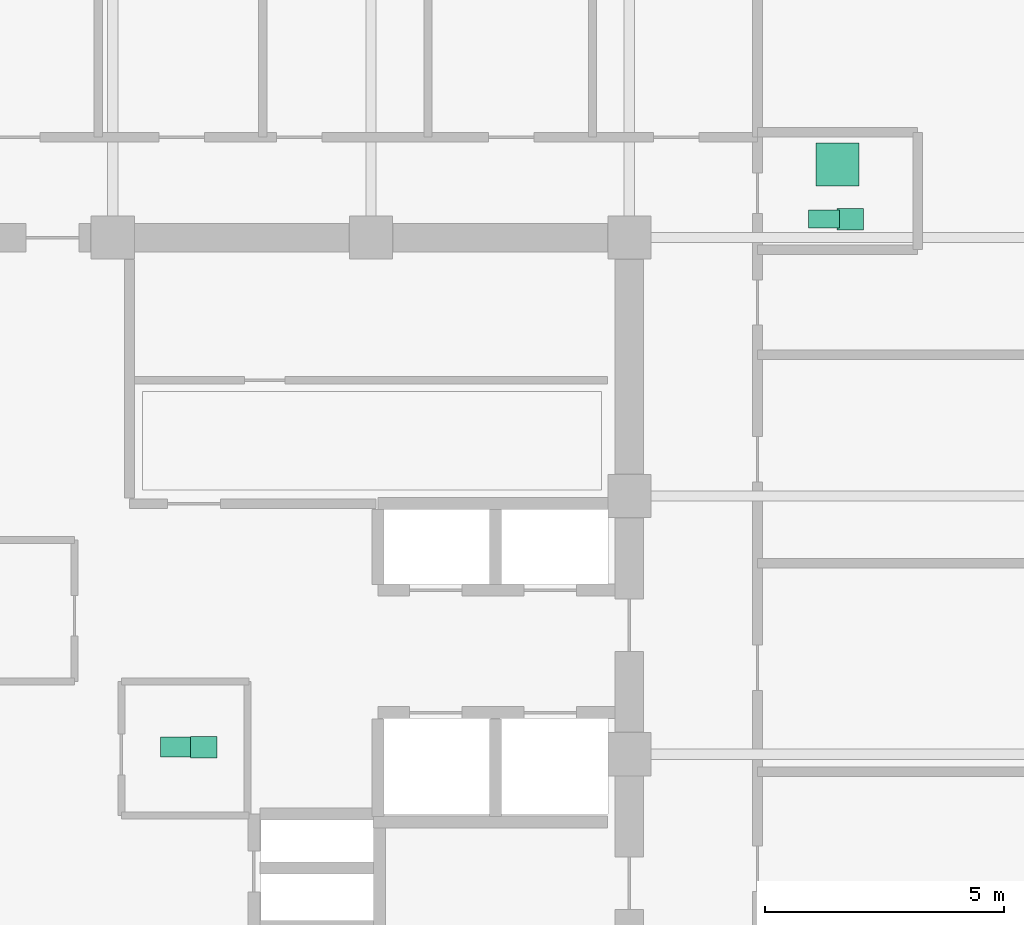
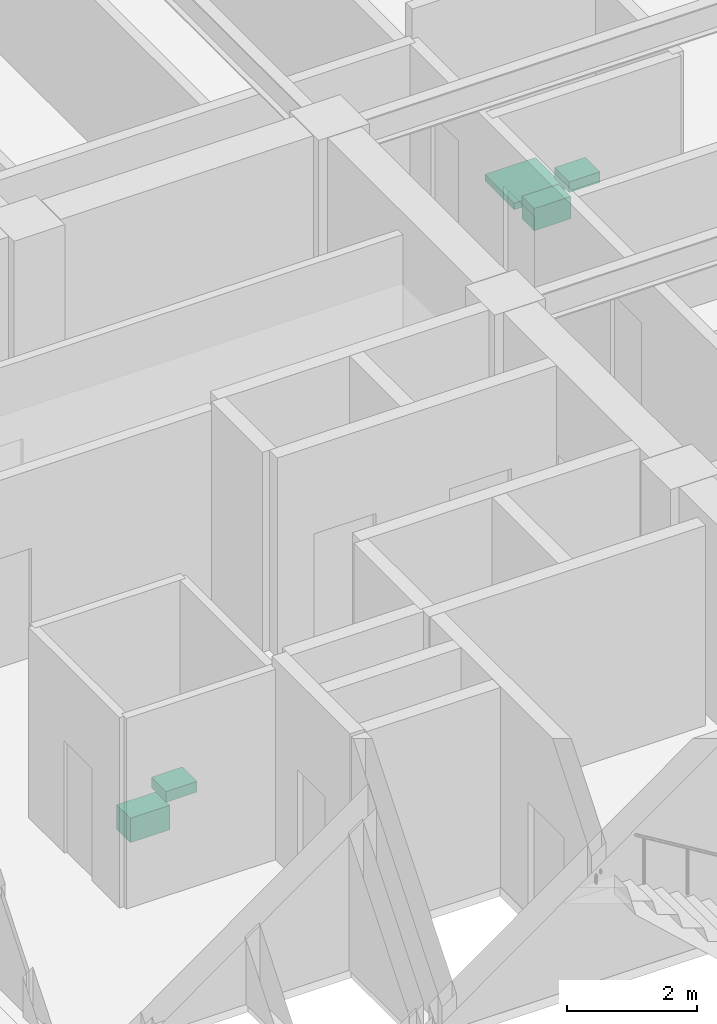
# One storey, part 28 of 28: 5 sanitary terminals.
"""IFC4 building model written with IfcOpenShell, lengths in metres."""

from ifc_helpers import new_model, si_unit, direction, frame, origin, origin_2d, place, context, subcontext, project, spatial, rectangle, extrude, material, type_object, element, save


model = new_model("IFC4")

# Units and contexts
model_context = context("Model", 3, precision=1e-05, world=origin(), true_north=direction((0.0, 1.0)))
body_context = subcontext(model_context, "Body", "Model", "MODEL_VIEW")
ifc_project = project(units=[si_unit("LENGTHUNIT", "METRE"), si_unit("AREAUNIT", "SQUARE_METRE"), si_unit("VOLUMEUNIT", "CUBIC_METRE"), si_unit("PLANEANGLEUNIT", "RADIAN"), si_unit("MASSUNIT", "GRAM", prefix="KILO")], contexts=[model_context])

# Site, building, storey
site_placement = place(None, origin())
site = spatial("IfcSite", under=ifc_project, at=site_placement, CompositionType="ELEMENT")
building_placement = place(site_placement, origin())
building = spatial("IfcBuilding", under=site, at=building_placement, Name="Surkhivell Harbour Commons", CompositionType="ELEMENT")
storey_placement = place(building_placement, frame((0.0, 0.0, 242.25)))
storey = spatial("IfcBuildingStorey", under=building, at=storey_placement, Name="L63", CompositionType="ELEMENT", Elevation=242.25)

# Sanitary terminals
ifc_material_1 = material(Name="Vitreous china washbasin", Category="other")
sanitary_terminal_type_1 = type_object("IfcSanitaryTerminalType", Name="SAN-BSN", PredefinedType="WASHHANDBASIN", material=ifc_material_1)
for number, where, z_axis, x_axis, name in (
    (1, (1.89990234375, 0.14990234375, 0.72021484375), (0.0, 0.0, 1.0), (1.0, 0.0, 0.0), "L63 Core Accessible WC Washbasin"),
    (2, (15.419921875, 11.18994140625, 0.72021484375), (0.0, 0.0, 1.0), (1.0, 0.0, 0.0), "L63 East Communal Bathroom WC Washbasin"),
):
    element("IfcSanitaryTerminal", number, at=place(storey_placement, frame(where, z_axis=z_axis, x_axis=x_axis)), inside=storey, type_object=sanitary_terminal_type_1, Name=name, PredefinedType="WASHHANDBASIN", context=body_context, shape_type="SweptSolid", body=[
        extrude(rectangle(XDim=0.550048828125, YDim=0.449951171875, at=origin_2d()), origin(), (0.0, 0.0, 1.0), 0.199951171875),
    ])
ifc_material_2 = material(Name="Glazed porcelain shower tray", Category="other")
sanitary_terminal_type_2 = type_object("IfcSanitaryTerminalType", Name="SAN-SHW", PredefinedType="SHOWER", material=ifc_material_2)
sanitary_terminal_1_placement = place(storey_placement, frame((15.14990234375, 12.330078125, 0.0), z_axis=(0.0, 0.0, 1.0), x_axis=(1.0, 0.0, 0.0)))
element("IfcSanitaryTerminal", 3, at=sanitary_terminal_1_placement, inside=storey, type_object=sanitary_terminal_type_2, Name="L63 East Communal Shower Tray", PredefinedType="SHOWER", context=body_context, shape_type="SweptSolid", body=[
    extrude(rectangle(XDim=0.89990234375, YDim=0.89990234375, at=origin_2d()), origin(), (0.0, 0.0, 1.0), 0.1201171875),
])
ifc_material_3 = material(Name="Vitreous china sanitaryware", Category="other")
sanitary_terminal_type_3 = type_object("IfcSanitaryTerminalType", Name="SAN-WC-ACC", PredefinedType="TOILETPAN", material=ifc_material_3)
sanitary_terminal_2_placement = place(storey_placement, frame((1.35009765625, 0.14990234375, 0.169921875), z_axis=(0.0, 0.0, 1.0), x_axis=(1.0, 0.0, 0.0)))
element("IfcSanitaryTerminal", 4, at=sanitary_terminal_2_placement, inside=storey, type_object=sanitary_terminal_type_3, Name="L63 Core Accessible WC", PredefinedType="TOILETPAN", context=body_context, shape_type="SweptSolid", body=[
    extrude(rectangle(XDim=0.699951171875, YDim=0.419921875, at=origin_2d()), origin(), (0.0, 0.0, 1.0), 0.4599609375),
])
sanitary_terminal_type_4 = type_object("IfcSanitaryTerminalType", Name="SAN-WC-STD", PredefinedType="TOILETPAN", material=ifc_material_3)
sanitary_terminal_3_placement = place(storey_placement, frame((14.8701171875, 11.18994140625, 0.18994140625), z_axis=(0.0, 0.0, 1.0), x_axis=(1.0, 0.0, 0.0)))
element("IfcSanitaryTerminal", 5, at=sanitary_terminal_3_placement, inside=storey, type_object=sanitary_terminal_type_4, Name="L63 East Communal Bathroom WC", PredefinedType="TOILETPAN", context=body_context, shape_type="SweptSolid", body=[
    extrude(rectangle(XDim=0.64990234375, YDim=0.3798828125, at=origin_2d()), origin(), (0.0, 0.0, 1.0), 0.419921875),
])

save(model, "model.ifc")
